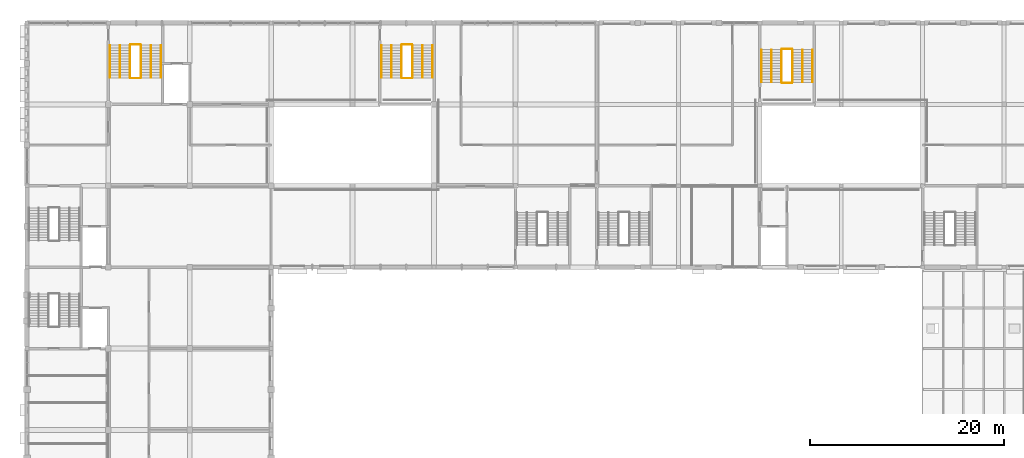
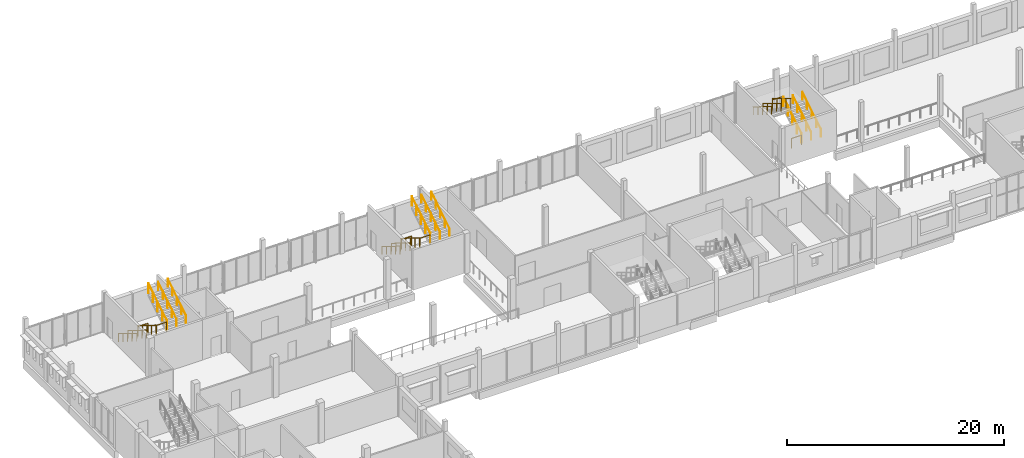
# One storey, part 115 of 116: 24 railings.
"""IFC4 building model written with IfcOpenShell, lengths in metres."""

from ifc_helpers import new_model, si_unit, direction, frame, origin, origin_2d, place, context, subcontext, project, spatial, circle, extrude, material, type_object, element, save


model = new_model("IFC4")

# Units and contexts
model_context = context("Model", 3, precision=1e-05, world=origin(), true_north=direction((0.0, 1.0)))
body_context = subcontext(model_context, "Body", "Model", "MODEL_VIEW")
ifc_project = project(units=[si_unit("LENGTHUNIT", "METRE"), si_unit("AREAUNIT", "SQUARE_METRE"), si_unit("VOLUMEUNIT", "CUBIC_METRE"), si_unit("PLANEANGLEUNIT", "RADIAN"), si_unit("MASSUNIT", "GRAM", prefix="KILO")], contexts=[model_context])

# Site, building, storey
site_placement = place(None, origin())
site = spatial("IfcSite", under=ifc_project, at=site_placement, CompositionType="ELEMENT")
building_placement = place(site_placement, origin())
building = spatial("IfcBuilding", under=site, at=building_placement, Name="Fescue Hill Polytechnic", CompositionType="ELEMENT")
storey_placement = place(building_placement, frame((0.0, 0.0, 13.5)))
storey = spatial("IfcBuildingStorey", under=building, at=storey_placement, Name="L03", CompositionType="ELEMENT", Elevation=13.5)

# Railings
ifc_material = material(Name="Steel 350W (350 MPa)", Category="steel")
railing_type_1 = type_object("IfcRailingType", Name="Stair guard steel 1100", PredefinedType="GUARDRAIL", material=ifc_material)
railing_1_placement = place(storey_placement, frame((38.625, 132.10009765625, 0.173095703125)))
element("IfcRailing", 1, at=railing_1_placement, inside=storey, type_object=railing_type_1, Name="L03 ST-V5-2 stair guard 1", PredefinedType="GUARDRAIL", context=body_context, shape_type="SweptSolid", body=[
    extrude(circle(Radius=0.02392578125, at=origin_2d()), frame((0.0, 0.0, 1.076171875), z_axis=(0.0, -0.850623216509, 0.525775754039), x_axis=(1.0, 0.0, 0.0)), (0.0, 0.0, 1.0), 3.9501953125),
    extrude(circle(Radius=0.02099609375, at=origin_2d()), origin(), (0.0, 0.0, 1.0), 1.052001953125),
    extrude(circle(Radius=0.02099609375, at=origin_2d()), frame((0.0, -0.840087890625, 0.519287109375)), (0.0, 0.0, 1.0), 1.052001953125),
    extrude(circle(Radius=0.02099609375, at=origin_2d()), frame((0.0, -1.68017578125, 1.03857421875)), (0.0, 0.0, 1.0), 1.052001953125),
    extrude(circle(Radius=0.02099609375, at=origin_2d()), frame((0.0, -2.52001953125, 1.5576171875)), (0.0, 0.0, 1.0), 1.052001953125),
    extrude(circle(Radius=0.02099609375, at=origin_2d()), frame((0.0, -3.360107421875, 2.076904296875)), (0.0, 0.0, 1.0), 1.052001953125),
])
railing_2_placement = place(storey_placement, frame((38.675048828125, 128.68994140625, 2.25)))
element("IfcRailing", 2, at=railing_2_placement, inside=storey, type_object=railing_type_1, Name="L03 ST-V5-2 stair guard 2", PredefinedType="GUARDRAIL", context=body_context, shape_type="SweptSolid", body=[
    extrude(circle(Radius=0.02392578125, at=origin_2d()), frame((0.0, 0.0, 1.076171875), z_axis=(1.0, 0.0, 0.0), x_axis=(0.0, 1.0, 0.0)), (0.0, 0.0, 1.0), 1.050048828125),
    extrude(circle(Radius=0.02099609375, at=origin_2d()), origin(), (0.0, 0.0, 1.0), 1.052001953125),
    extrude(circle(Radius=0.02099609375, at=origin_2d()), frame((1.050048828125, 0.0, 0.0)), (0.0, 0.0, 1.0), 1.052001953125),
])
railing_3_placement = place(storey_placement, frame((39.77490234375, 128.739990234375, 2.423095703125)))
element("IfcRailing", 3, at=railing_3_placement, inside=storey, type_object=railing_type_1, Name="L03 ST-V5-2 stair guard 3", PredefinedType="GUARDRAIL", context=body_context, shape_type="SweptSolid", body=[
    extrude(circle(Radius=0.02392578125, at=origin_2d()), frame((0.0, 0.0, 1.076171875), z_axis=(0.0, 0.850623216509, 0.525775754039), x_axis=(-1.0, 0.0, 0.0)), (0.0, 0.0, 1.0), 3.9501953125),
    extrude(circle(Radius=0.02099609375, at=origin_2d()), origin(), (0.0, 0.0, 1.0), 1.052001953125),
    extrude(circle(Radius=0.02099609375, at=origin_2d()), frame((0.0, 0.840087890625, 0.519287109375)), (0.0, 0.0, 1.0), 1.052001953125),
    extrude(circle(Radius=0.02099609375, at=origin_2d()), frame((0.0, 1.68017578125, 1.03857421875)), (0.0, 0.0, 1.0), 1.052001953125),
    extrude(circle(Radius=0.02099609375, at=origin_2d()), frame((0.0, 2.52001953125, 1.5576171875)), (0.0, 0.0, 1.0), 1.052001953125),
    extrude(circle(Radius=0.02099609375, at=origin_2d()), frame((0.0, 3.360107421875, 2.076904296875)), (0.0, 0.0, 1.0), 1.052001953125),
])
railing_4_placement = place(storey_placement, frame((38.675048828125, 132.14990234375, 0.0)))
element("IfcRailing", 4, at=railing_4_placement, inside=storey, type_object=railing_type_1, Name="L03 ST-V5-2 stair guard 4", PredefinedType="GUARDRAIL", context=body_context, shape_type="SweptSolid", body=[
    extrude(circle(Radius=0.02392578125, at=origin_2d()), frame((0.0, 0.0, 1.076171875), z_axis=(1.0, 0.0, 0.0), x_axis=(0.0, 1.0, 0.0)), (0.0, 0.0, 1.0), 1.050048828125),
    extrude(circle(Radius=0.02099609375, at=origin_2d()), origin(), (0.0, 0.0, 1.0), 1.052001953125),
    extrude(circle(Radius=0.02099609375, at=origin_2d()), frame((1.050048828125, 0.0, 0.0)), (0.0, 0.0, 1.0), 1.052001953125),
])
railing_5_placement = place(storey_placement, frame((10.625, 132.10009765625, 0.173095703125)))
element("IfcRailing", 5, at=railing_5_placement, inside=storey, type_object=railing_type_1, Name="L03 ST-V5-3 stair guard 1", PredefinedType="GUARDRAIL", context=body_context, shape_type="SweptSolid", body=[
    extrude(circle(Radius=0.02392578125, at=origin_2d()), frame((0.0, 0.0, 1.076171875), z_axis=(0.0, -0.850623216509, 0.525775754039), x_axis=(1.0, 0.0, 0.0)), (0.0, 0.0, 1.0), 3.9501953125),
    extrude(circle(Radius=0.02099609375, at=origin_2d()), origin(), (0.0, 0.0, 1.0), 1.052001953125),
    extrude(circle(Radius=0.02099609375, at=origin_2d()), frame((0.0, -0.840087890625, 0.519287109375)), (0.0, 0.0, 1.0), 1.052001953125),
    extrude(circle(Radius=0.02099609375, at=origin_2d()), frame((0.0, -1.68017578125, 1.03857421875)), (0.0, 0.0, 1.0), 1.052001953125),
    extrude(circle(Radius=0.02099609375, at=origin_2d()), frame((0.0, -2.52001953125, 1.5576171875)), (0.0, 0.0, 1.0), 1.052001953125),
    extrude(circle(Radius=0.02099609375, at=origin_2d()), frame((0.0, -3.360107421875, 2.076904296875)), (0.0, 0.0, 1.0), 1.052001953125),
])
railing_6_placement = place(storey_placement, frame((10.675048828125, 128.68994140625, 2.25)))
element("IfcRailing", 6, at=railing_6_placement, inside=storey, type_object=railing_type_1, Name="L03 ST-V5-3 stair guard 2", PredefinedType="GUARDRAIL", context=body_context, shape_type="SweptSolid", body=[
    extrude(circle(Radius=0.02392578125, at=origin_2d()), frame((0.0, 0.0, 1.076171875), z_axis=(1.0, 0.0, 0.0), x_axis=(0.0, 1.0, 0.0)), (0.0, 0.0, 1.0), 1.050048828125),
    extrude(circle(Radius=0.02099609375, at=origin_2d()), origin(), (0.0, 0.0, 1.0), 1.052001953125),
    extrude(circle(Radius=0.02099609375, at=origin_2d()), frame((1.050048828125, 0.0, 0.0)), (0.0, 0.0, 1.0), 1.052001953125),
])
railing_7_placement = place(storey_placement, frame((11.77490234375, 128.739990234375, 2.423095703125)))
element("IfcRailing", 7, at=railing_7_placement, inside=storey, type_object=railing_type_1, Name="L03 ST-V5-3 stair guard 3", PredefinedType="GUARDRAIL", context=body_context, shape_type="SweptSolid", body=[
    extrude(circle(Radius=0.02392578125, at=origin_2d()), frame((0.0, 0.0, 1.076171875), z_axis=(0.0, 0.850623216509, 0.525775754039), x_axis=(-1.0, 0.0, 0.0)), (0.0, 0.0, 1.0), 3.9501953125),
    extrude(circle(Radius=0.02099609375, at=origin_2d()), origin(), (0.0, 0.0, 1.0), 1.052001953125),
    extrude(circle(Radius=0.02099609375, at=origin_2d()), frame((0.0, 0.840087890625, 0.519287109375)), (0.0, 0.0, 1.0), 1.052001953125),
    extrude(circle(Radius=0.02099609375, at=origin_2d()), frame((0.0, 1.68017578125, 1.03857421875)), (0.0, 0.0, 1.0), 1.052001953125),
    extrude(circle(Radius=0.02099609375, at=origin_2d()), frame((0.0, 2.52001953125, 1.5576171875)), (0.0, 0.0, 1.0), 1.052001953125),
    extrude(circle(Radius=0.02099609375, at=origin_2d()), frame((0.0, 3.360107421875, 2.076904296875)), (0.0, 0.0, 1.0), 1.052001953125),
])
railing_8_placement = place(storey_placement, frame((10.675048828125, 132.14990234375, 0.0)))
element("IfcRailing", 8, at=railing_8_placement, inside=storey, type_object=railing_type_1, Name="L03 ST-V5-3 stair guard 4", PredefinedType="GUARDRAIL", context=body_context, shape_type="SweptSolid", body=[
    extrude(circle(Radius=0.02392578125, at=origin_2d()), frame((0.0, 0.0, 1.076171875), z_axis=(1.0, 0.0, 0.0), x_axis=(0.0, 1.0, 0.0)), (0.0, 0.0, 1.0), 1.050048828125),
    extrude(circle(Radius=0.02099609375, at=origin_2d()), origin(), (0.0, 0.0, 1.0), 1.052001953125),
    extrude(circle(Radius=0.02099609375, at=origin_2d()), frame((1.050048828125, 0.0, 0.0)), (0.0, 0.0, 1.0), 1.052001953125),
])
railing_9_placement = place(storey_placement, frame((78.97509765625, 128.27490234375, 0.173095703125)))
element("IfcRailing", 9, at=railing_9_placement, inside=storey, type_object=railing_type_1, Name="L03 ST-V4b-4 stair guard 1", PredefinedType="GUARDRAIL", context=body_context, shape_type="SweptSolid", body=[
    extrude(circle(Radius=0.02392578125, at=origin_2d()), frame((0.0, 0.0, 1.076171875), z_axis=(0.0, 0.850623216509, 0.525775754039), x_axis=(-1.0, 0.0, 0.0)), (0.0, 0.0, 1.0), 3.9501953125),
    extrude(circle(Radius=0.02099609375, at=origin_2d()), origin(), (0.0, 0.0, 1.0), 1.052001953125),
    extrude(circle(Radius=0.02099609375, at=origin_2d()), frame((0.0, 0.840087890625, 0.519287109375)), (0.0, 0.0, 1.0), 1.052001953125),
    extrude(circle(Radius=0.02099609375, at=origin_2d()), frame((0.0, 1.68017578125, 1.03857421875)), (0.0, 0.0, 1.0), 1.052001953125),
    extrude(circle(Radius=0.02099609375, at=origin_2d()), frame((0.0, 2.52001953125, 1.5576171875)), (0.0, 0.0, 1.0), 1.052001953125),
    extrude(circle(Radius=0.02099609375, at=origin_2d()), frame((0.0, 3.360107421875, 2.076904296875)), (0.0, 0.0, 1.0), 1.052001953125),
])
railing_10_placement = place(storey_placement, frame((78.925048828125, 131.68505859375, 2.25)))
element("IfcRailing", 10, at=railing_10_placement, inside=storey, type_object=railing_type_1, Name="L03 ST-V4b-4 stair guard 2", PredefinedType="GUARDRAIL", context=body_context, shape_type="SweptSolid", body=[
    extrude(circle(Radius=0.02392578125, at=origin_2d()), frame((0.0, 0.0, 1.076171875), z_axis=(-1.0, 0.0, 0.0), x_axis=(0.0, -1.0, 0.0)), (0.0, 0.0, 1.0), 1.050048828125),
    extrude(circle(Radius=0.02099609375, at=origin_2d()), origin(), (0.0, 0.0, 1.0), 1.052001953125),
    extrude(circle(Radius=0.02099609375, at=origin_2d()), frame((-1.050048828125, 0.0, 0.0)), (0.0, 0.0, 1.0), 1.052001953125),
])
railing_11_placement = place(storey_placement, frame((77.824951171875, 131.635009765625, 2.423095703125)))
element("IfcRailing", 11, at=railing_11_placement, inside=storey, type_object=railing_type_1, Name="L03 ST-V4b-4 stair guard 3", PredefinedType="GUARDRAIL", context=body_context, shape_type="SweptSolid", body=[
    extrude(circle(Radius=0.02392578125, at=origin_2d()), frame((0.0, 0.0, 1.076171875), z_axis=(0.0, -0.850623216509, 0.525775754039), x_axis=(1.0, 0.0, 0.0)), (0.0, 0.0, 1.0), 3.9501953125),
    extrude(circle(Radius=0.02099609375, at=origin_2d()), origin(), (0.0, 0.0, 1.0), 1.052001953125),
    extrude(circle(Radius=0.02099609375, at=origin_2d()), frame((0.0, -0.840087890625, 0.519287109375)), (0.0, 0.0, 1.0), 1.052001953125),
    extrude(circle(Radius=0.02099609375, at=origin_2d()), frame((0.0, -1.68017578125, 1.03857421875)), (0.0, 0.0, 1.0), 1.052001953125),
    extrude(circle(Radius=0.02099609375, at=origin_2d()), frame((0.0, -2.52001953125, 1.5576171875)), (0.0, 0.0, 1.0), 1.052001953125),
    extrude(circle(Radius=0.02099609375, at=origin_2d()), frame((0.0, -3.360107421875, 2.076904296875)), (0.0, 0.0, 1.0), 1.052001953125),
])
railing_12_placement = place(storey_placement, frame((78.925048828125, 128.22509765625, 0.0)))
element("IfcRailing", 12, at=railing_12_placement, inside=storey, type_object=railing_type_1, Name="L03 ST-V4b-4 stair guard 4", PredefinedType="GUARDRAIL", context=body_context, shape_type="SweptSolid", body=[
    extrude(circle(Radius=0.02392578125, at=origin_2d()), frame((0.0, 0.0, 1.076171875), z_axis=(-1.0, 0.0, 0.0), x_axis=(0.0, -1.0, 0.0)), (0.0, 0.0, 1.0), 1.050048828125),
    extrude(circle(Radius=0.02099609375, at=origin_2d()), origin(), (0.0, 0.0, 1.0), 1.052001953125),
    extrude(circle(Radius=0.02099609375, at=origin_2d()), frame((-1.050048828125, 0.0, 0.0)), (0.0, 0.0, 1.0), 1.052001953125),
])
railing_type_2 = type_object("IfcRailingType", Name="Stair handrail steel 900", PredefinedType="HANDRAIL", material=ifc_material)
railing_13_placement = place(storey_placement, frame((36.574951171875, 132.10009765625, 0.173095703125)))
element("IfcRailing", 13, at=railing_13_placement, inside=storey, type_object=railing_type_2, Name="L03 ST-V5-2 stair handrail 1", PredefinedType="HANDRAIL", context=body_context, shape_type="SweptSolid", body=[
    extrude(circle(Radius=0.02392578125, at=origin_2d()), frame((0.0, 0.0, 0.8759765625), z_axis=(0.0, -0.850623216509, 0.525775754039), x_axis=(1.0, 0.0, 0.0)), (0.0, 0.0, 1.0), 3.9501953125),
    extrude(circle(Radius=0.02099609375, at=origin_2d()), origin(), (0.0, 0.0, 1.0), 0.851806640625),
    extrude(circle(Radius=0.02099609375, at=origin_2d()), frame((0.0, -0.840087890625, 0.519287109375)), (0.0, 0.0, 1.0), 0.851806640625),
    extrude(circle(Radius=0.02099609375, at=origin_2d()), frame((0.0, -1.68017578125, 1.03857421875)), (0.0, 0.0, 1.0), 0.851806640625),
    extrude(circle(Radius=0.02099609375, at=origin_2d()), frame((0.0, -2.52001953125, 1.5576171875)), (0.0, 0.0, 1.0), 0.851806640625),
    extrude(circle(Radius=0.02099609375, at=origin_2d()), frame((0.0, -3.360107421875, 2.076904296875)), (0.0, 0.0, 1.0), 0.851806640625),
])
railing_14_placement = place(storey_placement, frame((41.824951171875, 128.739990234375, 2.423095703125)))
element("IfcRailing", 14, at=railing_14_placement, inside=storey, type_object=railing_type_2, Name="L03 ST-V5-2 stair handrail 2", PredefinedType="HANDRAIL", context=body_context, shape_type="SweptSolid", body=[
    extrude(circle(Radius=0.02392578125, at=origin_2d()), frame((0.0, 0.0, 0.8759765625), z_axis=(0.0, 0.850623216509, 0.525775754039), x_axis=(-1.0, 0.0, 0.0)), (0.0, 0.0, 1.0), 3.9501953125),
    extrude(circle(Radius=0.02099609375, at=origin_2d()), origin(), (0.0, 0.0, 1.0), 0.851806640625),
    extrude(circle(Radius=0.02099609375, at=origin_2d()), frame((0.0, 0.840087890625, 0.519287109375)), (0.0, 0.0, 1.0), 0.851806640625),
    extrude(circle(Radius=0.02099609375, at=origin_2d()), frame((0.0, 1.68017578125, 1.03857421875)), (0.0, 0.0, 1.0), 0.851806640625),
    extrude(circle(Radius=0.02099609375, at=origin_2d()), frame((0.0, 2.52001953125, 1.5576171875)), (0.0, 0.0, 1.0), 0.851806640625),
    extrude(circle(Radius=0.02099609375, at=origin_2d()), frame((0.0, 3.360107421875, 2.076904296875)), (0.0, 0.0, 1.0), 0.851806640625),
])
railing_15_placement = place(storey_placement, frame((37.60009765625, 132.10009765625, 0.173095703125)))
element("IfcRailing", 15, at=railing_15_placement, inside=storey, type_object=railing_type_2, Name="L03 ST-V5-2 stair handrail 3", PredefinedType="HANDRAIL", context=body_context, shape_type="SweptSolid", body=[
    extrude(circle(Radius=0.02392578125, at=origin_2d()), frame((0.0, 0.0, 0.8759765625), z_axis=(0.0, -0.850623216509, 0.525775754039), x_axis=(1.0, 0.0, 0.0)), (0.0, 0.0, 1.0), 3.9501953125),
    extrude(circle(Radius=0.02099609375, at=origin_2d()), origin(), (0.0, 0.0, 1.0), 0.851806640625),
    extrude(circle(Radius=0.02099609375, at=origin_2d()), frame((0.0, -0.840087890625, 0.519287109375)), (0.0, 0.0, 1.0), 0.851806640625),
    extrude(circle(Radius=0.02099609375, at=origin_2d()), frame((0.0, -1.68017578125, 1.03857421875)), (0.0, 0.0, 1.0), 0.851806640625),
    extrude(circle(Radius=0.02099609375, at=origin_2d()), frame((0.0, -2.52001953125, 1.5576171875)), (0.0, 0.0, 1.0), 0.851806640625),
    extrude(circle(Radius=0.02099609375, at=origin_2d()), frame((0.0, -3.360107421875, 2.076904296875)), (0.0, 0.0, 1.0), 0.851806640625),
])
railing_16_placement = place(storey_placement, frame((40.800048828125, 128.739990234375, 2.423095703125)))
element("IfcRailing", 16, at=railing_16_placement, inside=storey, type_object=railing_type_2, Name="L03 ST-V5-2 stair handrail 4", PredefinedType="HANDRAIL", context=body_context, shape_type="SweptSolid", body=[
    extrude(circle(Radius=0.02392578125, at=origin_2d()), frame((0.0, 0.0, 0.8759765625), z_axis=(0.0, 0.850623216509, 0.525775754039), x_axis=(-1.0, 0.0, 0.0)), (0.0, 0.0, 1.0), 3.9501953125),
    extrude(circle(Radius=0.02099609375, at=origin_2d()), origin(), (0.0, 0.0, 1.0), 0.851806640625),
    extrude(circle(Radius=0.02099609375, at=origin_2d()), frame((0.0, 0.840087890625, 0.519287109375)), (0.0, 0.0, 1.0), 0.851806640625),
    extrude(circle(Radius=0.02099609375, at=origin_2d()), frame((0.0, 1.68017578125, 1.03857421875)), (0.0, 0.0, 1.0), 0.851806640625),
    extrude(circle(Radius=0.02099609375, at=origin_2d()), frame((0.0, 2.52001953125, 1.5576171875)), (0.0, 0.0, 1.0), 0.851806640625),
    extrude(circle(Radius=0.02099609375, at=origin_2d()), frame((0.0, 3.360107421875, 2.076904296875)), (0.0, 0.0, 1.0), 0.851806640625),
])
railing_17_placement = place(storey_placement, frame((8.574951171875, 132.10009765625, 0.173095703125)))
element("IfcRailing", 17, at=railing_17_placement, inside=storey, type_object=railing_type_2, Name="L03 ST-V5-3 stair handrail 1", PredefinedType="HANDRAIL", context=body_context, shape_type="SweptSolid", body=[
    extrude(circle(Radius=0.02392578125, at=origin_2d()), frame((0.0, 0.0, 0.8759765625), z_axis=(0.0, -0.850623216509, 0.525775754039), x_axis=(1.0, 0.0, 0.0)), (0.0, 0.0, 1.0), 3.9501953125),
    extrude(circle(Radius=0.02099609375, at=origin_2d()), origin(), (0.0, 0.0, 1.0), 0.851806640625),
    extrude(circle(Radius=0.02099609375, at=origin_2d()), frame((0.0, -0.840087890625, 0.519287109375)), (0.0, 0.0, 1.0), 0.851806640625),
    extrude(circle(Radius=0.02099609375, at=origin_2d()), frame((0.0, -1.68017578125, 1.03857421875)), (0.0, 0.0, 1.0), 0.851806640625),
    extrude(circle(Radius=0.02099609375, at=origin_2d()), frame((0.0, -2.52001953125, 1.5576171875)), (0.0, 0.0, 1.0), 0.851806640625),
    extrude(circle(Radius=0.02099609375, at=origin_2d()), frame((0.0, -3.360107421875, 2.076904296875)), (0.0, 0.0, 1.0), 0.851806640625),
])
railing_18_placement = place(storey_placement, frame((13.824951171875, 128.739990234375, 2.423095703125)))
element("IfcRailing", 18, at=railing_18_placement, inside=storey, type_object=railing_type_2, Name="L03 ST-V5-3 stair handrail 2", PredefinedType="HANDRAIL", context=body_context, shape_type="SweptSolid", body=[
    extrude(circle(Radius=0.02392578125, at=origin_2d()), frame((0.0, 0.0, 0.8759765625), z_axis=(0.0, 0.850623216509, 0.525775754039), x_axis=(-1.0, 0.0, 0.0)), (0.0, 0.0, 1.0), 3.9501953125),
    extrude(circle(Radius=0.02099609375, at=origin_2d()), origin(), (0.0, 0.0, 1.0), 0.851806640625),
    extrude(circle(Radius=0.02099609375, at=origin_2d()), frame((0.0, 0.840087890625, 0.519287109375)), (0.0, 0.0, 1.0), 0.851806640625),
    extrude(circle(Radius=0.02099609375, at=origin_2d()), frame((0.0, 1.68017578125, 1.03857421875)), (0.0, 0.0, 1.0), 0.851806640625),
    extrude(circle(Radius=0.02099609375, at=origin_2d()), frame((0.0, 2.52001953125, 1.5576171875)), (0.0, 0.0, 1.0), 0.851806640625),
    extrude(circle(Radius=0.02099609375, at=origin_2d()), frame((0.0, 3.360107421875, 2.076904296875)), (0.0, 0.0, 1.0), 0.851806640625),
])
railing_19_placement = place(storey_placement, frame((9.60009765625, 132.10009765625, 0.173095703125)))
element("IfcRailing", 19, at=railing_19_placement, inside=storey, type_object=railing_type_2, Name="L03 ST-V5-3 stair handrail 3", PredefinedType="HANDRAIL", context=body_context, shape_type="SweptSolid", body=[
    extrude(circle(Radius=0.02392578125, at=origin_2d()), frame((0.0, 0.0, 0.8759765625), z_axis=(0.0, -0.850623216509, 0.525775754039), x_axis=(1.0, 0.0, 0.0)), (0.0, 0.0, 1.0), 3.9501953125),
    extrude(circle(Radius=0.02099609375, at=origin_2d()), origin(), (0.0, 0.0, 1.0), 0.851806640625),
    extrude(circle(Radius=0.02099609375, at=origin_2d()), frame((0.0, -0.840087890625, 0.519287109375)), (0.0, 0.0, 1.0), 0.851806640625),
    extrude(circle(Radius=0.02099609375, at=origin_2d()), frame((0.0, -1.68017578125, 1.03857421875)), (0.0, 0.0, 1.0), 0.851806640625),
    extrude(circle(Radius=0.02099609375, at=origin_2d()), frame((0.0, -2.52001953125, 1.5576171875)), (0.0, 0.0, 1.0), 0.851806640625),
    extrude(circle(Radius=0.02099609375, at=origin_2d()), frame((0.0, -3.360107421875, 2.076904296875)), (0.0, 0.0, 1.0), 0.851806640625),
])
for number, where, name in (
    (20, (12.800048828125, 128.739990234375, 2.423095703125), "L03 ST-V5-3 stair handrail 4"),
    (21, (81.02490234375, 128.27490234375, 0.173095703125), "L03 ST-V4b-4 stair handrail 1"),
):
    element("IfcRailing", number, at=place(storey_placement, frame(where)), inside=storey, type_object=railing_type_2, Name=name, PredefinedType="HANDRAIL", context=body_context, shape_type="SweptSolid", body=[
        extrude(circle(Radius=0.02392578125, at=origin_2d()), frame((0.0, 0.0, 0.8759765625), z_axis=(0.0, 0.850623216509, 0.525775754039), x_axis=(-1.0, 0.0, 0.0)), (0.0, 0.0, 1.0), 3.9501953125),
        extrude(circle(Radius=0.02099609375, at=origin_2d()), origin(), (0.0, 0.0, 1.0), 0.851806640625),
        extrude(circle(Radius=0.02099609375, at=origin_2d()), frame((0.0, 0.840087890625, 0.519287109375)), (0.0, 0.0, 1.0), 0.851806640625),
        extrude(circle(Radius=0.02099609375, at=origin_2d()), frame((0.0, 1.68017578125, 1.03857421875)), (0.0, 0.0, 1.0), 0.851806640625),
        extrude(circle(Radius=0.02099609375, at=origin_2d()), frame((0.0, 2.52001953125, 1.5576171875)), (0.0, 0.0, 1.0), 0.851806640625),
        extrude(circle(Radius=0.02099609375, at=origin_2d()), frame((0.0, 3.360107421875, 2.076904296875)), (0.0, 0.0, 1.0), 0.851806640625),
    ])
railing_20_placement = place(storey_placement, frame((75.77490234375, 131.635009765625, 2.423095703125)))
element("IfcRailing", 22, at=railing_20_placement, inside=storey, type_object=railing_type_2, Name="L03 ST-V4b-4 stair handrail 2", PredefinedType="HANDRAIL", context=body_context, shape_type="SweptSolid", body=[
    extrude(circle(Radius=0.02392578125, at=origin_2d()), frame((0.0, 0.0, 0.8759765625), z_axis=(0.0, -0.850623216509, 0.525775754039), x_axis=(1.0, 0.0, 0.0)), (0.0, 0.0, 1.0), 3.9501953125),
    extrude(circle(Radius=0.02099609375, at=origin_2d()), origin(), (0.0, 0.0, 1.0), 0.851806640625),
    extrude(circle(Radius=0.02099609375, at=origin_2d()), frame((0.0, -0.840087890625, 0.519287109375)), (0.0, 0.0, 1.0), 0.851806640625),
    extrude(circle(Radius=0.02099609375, at=origin_2d()), frame((0.0, -1.68017578125, 1.03857421875)), (0.0, 0.0, 1.0), 0.851806640625),
    extrude(circle(Radius=0.02099609375, at=origin_2d()), frame((0.0, -2.52001953125, 1.5576171875)), (0.0, 0.0, 1.0), 0.851806640625),
    extrude(circle(Radius=0.02099609375, at=origin_2d()), frame((0.0, -3.360107421875, 2.076904296875)), (0.0, 0.0, 1.0), 0.851806640625),
])
railing_21_placement = place(storey_placement, frame((80.0, 128.27490234375, 0.173095703125)))
element("IfcRailing", 23, at=railing_21_placement, inside=storey, type_object=railing_type_2, Name="L03 ST-V4b-4 stair handrail 3", PredefinedType="HANDRAIL", context=body_context, shape_type="SweptSolid", body=[
    extrude(circle(Radius=0.02392578125, at=origin_2d()), frame((0.0, 0.0, 0.8759765625), z_axis=(0.0, 0.850623216509, 0.525775754039), x_axis=(-1.0, 0.0, 0.0)), (0.0, 0.0, 1.0), 3.9501953125),
    extrude(circle(Radius=0.02099609375, at=origin_2d()), origin(), (0.0, 0.0, 1.0), 0.851806640625),
    extrude(circle(Radius=0.02099609375, at=origin_2d()), frame((0.0, 0.840087890625, 0.519287109375)), (0.0, 0.0, 1.0), 0.851806640625),
    extrude(circle(Radius=0.02099609375, at=origin_2d()), frame((0.0, 1.68017578125, 1.03857421875)), (0.0, 0.0, 1.0), 0.851806640625),
    extrude(circle(Radius=0.02099609375, at=origin_2d()), frame((0.0, 2.52001953125, 1.5576171875)), (0.0, 0.0, 1.0), 0.851806640625),
    extrude(circle(Radius=0.02099609375, at=origin_2d()), frame((0.0, 3.360107421875, 2.076904296875)), (0.0, 0.0, 1.0), 0.851806640625),
])
railing_22_placement = place(storey_placement, frame((76.800048828125, 131.635009765625, 2.423095703125)))
element("IfcRailing", 24, at=railing_22_placement, inside=storey, type_object=railing_type_2, Name="L03 ST-V4b-4 stair handrail 4", PredefinedType="HANDRAIL", context=body_context, shape_type="SweptSolid", body=[
    extrude(circle(Radius=0.02392578125, at=origin_2d()), frame((0.0, 0.0, 0.8759765625), z_axis=(0.0, -0.850623216509, 0.525775754039), x_axis=(1.0, 0.0, 0.0)), (0.0, 0.0, 1.0), 3.9501953125),
    extrude(circle(Radius=0.02099609375, at=origin_2d()), origin(), (0.0, 0.0, 1.0), 0.851806640625),
    extrude(circle(Radius=0.02099609375, at=origin_2d()), frame((0.0, -0.840087890625, 0.519287109375)), (0.0, 0.0, 1.0), 0.851806640625),
    extrude(circle(Radius=0.02099609375, at=origin_2d()), frame((0.0, -1.68017578125, 1.03857421875)), (0.0, 0.0, 1.0), 0.851806640625),
    extrude(circle(Radius=0.02099609375, at=origin_2d()), frame((0.0, -2.52001953125, 1.5576171875)), (0.0, 0.0, 1.0), 0.851806640625),
    extrude(circle(Radius=0.02099609375, at=origin_2d()), frame((0.0, -3.360107421875, 2.076904296875)), (0.0, 0.0, 1.0), 0.851806640625),
])

save(model, "model.ifc")
